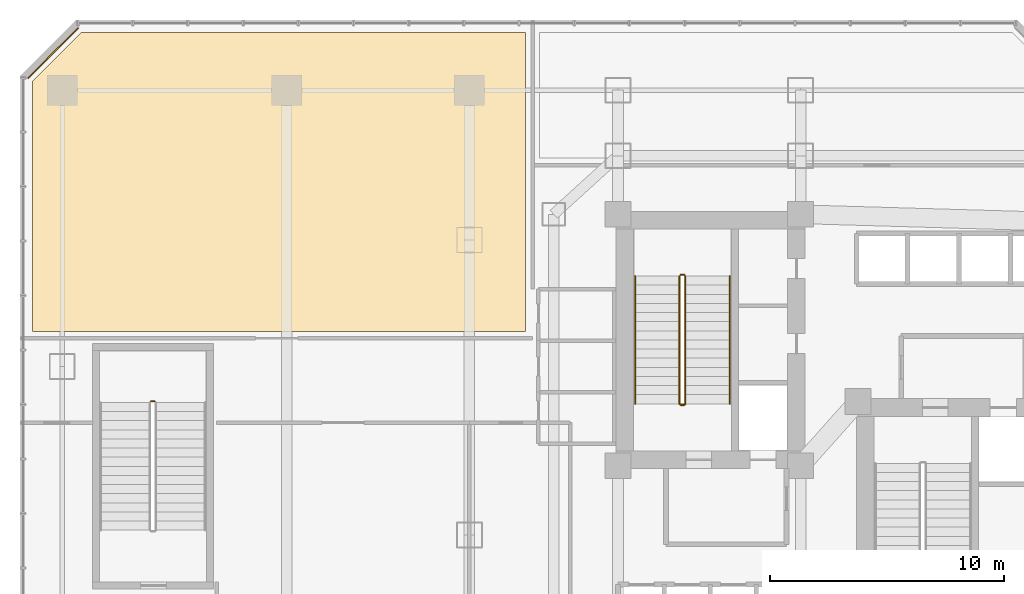
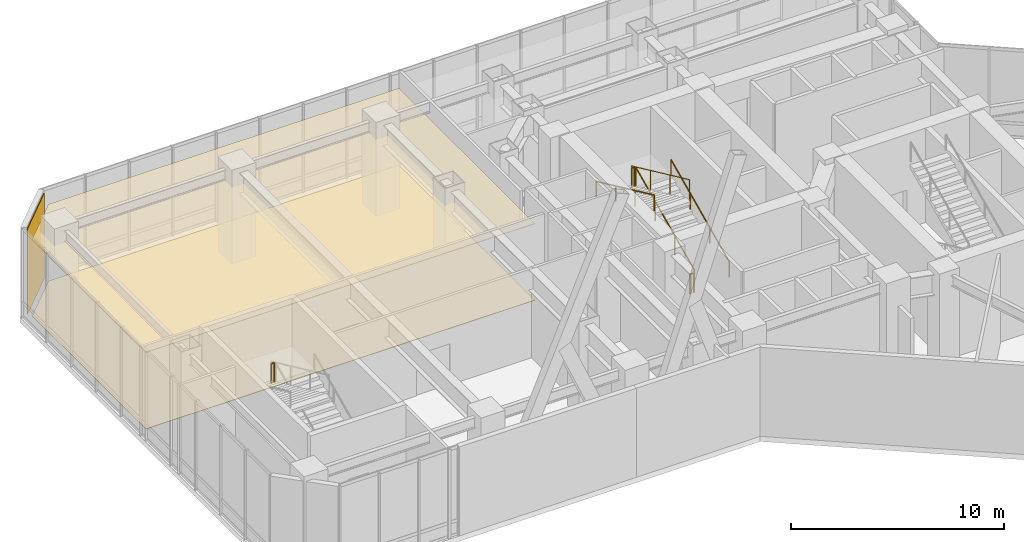
# One storey, part 34 of 35: 8 railings, 3 coverings.
"""IFC4 building model written with IfcOpenShell, lengths in metres."""

from ifc_helpers import new_model, si_unit, direction, frame, origin, origin_2d, place, context, subcontext, project, spatial, polyline, rectangle, circle, outline, extrude, material, layer, layer_set, type_object, element, save


model = new_model("IFC4")

# Units and contexts
model_context = context("Model", 3, precision=1e-05, world=origin(), true_north=direction((0.0, 1.0)))
body_context = subcontext(model_context, "Body", "Model", "MODEL_VIEW")
ifc_project = project(units=[si_unit("LENGTHUNIT", "METRE"), si_unit("AREAUNIT", "SQUARE_METRE"), si_unit("VOLUMEUNIT", "CUBIC_METRE"), si_unit("PLANEANGLEUNIT", "RADIAN"), si_unit("MASSUNIT", "GRAM", prefix="KILO")], contexts=[model_context])

# Site, building, storey
site_placement = place(None, origin())
site = spatial("IfcSite", under=ifc_project, at=site_placement, CompositionType="ELEMENT")
building_placement = place(site_placement, origin())
building = spatial("IfcBuilding", under=site, at=building_placement, Name="Hatsunagi Terrace Concourse", CompositionType="ELEMENT")
storey_placement = place(building_placement, frame((0.0, 0.0, 5.39990234375)))
storey = spatial("IfcBuildingStorey", under=building, at=storey_placement, Name="L02", CompositionType="ELEMENT", Elevation=5.39990234375)

# Covering
ifc_material_1 = material(Name="Granite stone paving", Category="masonry")
ifc_layer_1 = layer(ifc_material_1, 0.02490234375)
ifc_layer_set_1 = layer_set([ifc_layer_1], Name="GraniteStoneFlooring_25")
covering_type_1 = type_object("IfcCoveringType", Name="GraniteStoneFlooring_25", PredefinedType="FLOORING", material=ifc_layer_set_1)
covering_1_placement = place(storey_placement, origin())
element("IfcCovering", 1, at=covering_1_placement, inside=storey, type_object=covering_type_1, Name="Finished Flooring L02-1", PredefinedType="FLOORING", context=body_context, shape_type="SweptSolid", body=[
    extrude(outline(polyline([(2.6201171875, 51.070068359375), (0.530029296875, 48.97998046875), (0.530029296875, 38.300048828125), (21.60009765625, 38.300048828125), (21.60009765625, 51.070068359375), (2.6201171875, 51.070068359375)])), origin(), (0.0, 0.0, 1.0), 0.025146484375),
])

# Railings
ifc_material_2 = material(Name="Stainless steel", Category="steel")
ifc_layer_2 = layer(ifc_material_2, 0.044921875)
ifc_layer_set_2 = layer_set([ifc_layer_2], Name="StairPitchHandrail_Tower2000")
railing_type_1 = type_object("IfcRailingType", Name="StairPitchHandrail_Tower2000", PredefinedType="HANDRAIL", material=ifc_layer_set_2)
railing_1_placement = place(storey_placement, frame((30.330078125, 35.199951171875, 0.18017578125)))
element("IfcRailing", 2, at=railing_1_placement, inside=storey, type_object=railing_type_1, Name="L02 ST-A stair handrail 1", PredefinedType="HANDRAIL", context=body_context, shape_type="SweptSolid", body=[
    extrude(circle(Radius=0.02392578125, at=origin_2d()), frame((0.0, 0.0, 0.8759765625), z_axis=(0.0, 0.907957007956, 0.419063326602), x_axis=(-1.0, 0.0, 0.0)), (0.0, 0.0, 1.0), 6.013427734375),
    extrude(circle(Radius=0.02099609375, at=origin_2d()), origin(), (0.0, 0.0, 1.0), 0.851806640625),
    extrude(circle(Radius=0.02099609375, at=origin_2d()), frame((0.0, 1.820068359375, 0.840087890625)), (0.0, 0.0, 1.0), 0.851806640625),
    extrude(circle(Radius=0.02099609375, at=origin_2d()), frame((0.0, 3.639892578125, 1.679931640625)), (0.0, 0.0, 1.0), 0.851806640625),
    extrude(circle(Radius=0.02099609375, at=origin_2d()), frame((0.0, 5.4599609375, 2.52001953125)), (0.0, 0.0, 1.0), 0.851806640625),
])
railing_2_placement = place(storey_placement, frame((26.280029296875, 40.659912109375, 2.880126953125)))
element("IfcRailing", 3, at=railing_2_placement, inside=storey, type_object=railing_type_1, Name="L02 ST-A stair handrail 2", PredefinedType="HANDRAIL", context=body_context, shape_type="SweptSolid", body=[
    extrude(circle(Radius=0.02392578125, at=origin_2d()), frame((0.0, 0.0, 0.8759765625), z_axis=(0.0, -0.907957007956, 0.419063326602), x_axis=(1.0, 0.0, 0.0)), (0.0, 0.0, 1.0), 6.013427734375),
    extrude(circle(Radius=0.02099609375, at=origin_2d()), origin(), (0.0, 0.0, 1.0), 0.851806640625),
    extrude(circle(Radius=0.02099609375, at=origin_2d()), frame((0.0, -1.820068359375, 0.840087890625)), (0.0, 0.0, 1.0), 0.851806640625),
    extrude(circle(Radius=0.02099609375, at=origin_2d()), frame((0.0, -3.639892578125, 1.679931640625)), (0.0, 0.0, 1.0), 0.851806640625),
    extrude(circle(Radius=0.02099609375, at=origin_2d()), frame((0.0, -5.4599609375, 2.52001953125)), (0.0, 0.0, 1.0), 0.851806640625),
])
ifc_material_3 = material(Name="Stainless steel", Category="steel")
ifc_layer_3 = layer(ifc_material_3, 0.06494140625)
ifc_layer_set_3 = layer_set([ifc_layer_3], Name="StairWellGuard_Podium2200")
railing_type_2 = type_object("IfcRailingType", Name="StairWellGuard_Podium2200", PredefinedType="BALUSTRADE", material=ifc_layer_set_3)
railing_3_placement = place(storey_placement, frame((5.75, 35.31005859375, 2.7001953125)))
element("IfcRailing", 4, at=railing_3_placement, inside=storey, type_object=railing_type_2, Name="L02 ST-P1 stair guard 2", PredefinedType="BALUSTRADE", context=body_context, shape_type="SweptSolid", body=[
    extrude(circle(Radius=0.02392578125, at=origin_2d()), frame((0.0, 0.0, 1.09619140625), z_axis=(-1.0, 0.0, 0.0), x_axis=(0.0, -1.0, 0.0)), (0.0, 0.0, 1.0), 0.14990234375),
    extrude(circle(Radius=0.02099609375, at=origin_2d()), origin(), (0.0, 0.0, 1.0), 1.072021484375),
    extrude(circle(Radius=0.02099609375, at=origin_2d()), frame((-0.14990234375, 0.0, 0.0)), (0.0, 0.0, 1.0), 1.072021484375),
])
ifc_material_4 = material(Name="Stainless steel", Category="steel")
ifc_layer_4 = layer(ifc_material_4, 0.06005859375)
ifc_layer_set_4 = layer_set([ifc_layer_4], Name="StairWellGuard_Tower2000")
railing_type_3 = type_object("IfcRailingType", Name="StairWellGuard_Tower2000", PredefinedType="BALUSTRADE", material=ifc_layer_set_4)
railing_4_placement = place(storey_placement, frame((28.429931640625, 35.199951171875, 0.18017578125)))
element("IfcRailing", 5, at=railing_4_placement, inside=storey, type_object=railing_type_3, Name="L02 ST-A stair guard 1", PredefinedType="BALUSTRADE", context=body_context, shape_type="SweptSolid", body=[
    extrude(circle(Radius=0.02392578125, at=origin_2d()), frame((0.0, 0.0, 1.09619140625), z_axis=(0.0, 0.907957007956, 0.419063326602), x_axis=(-1.0, 0.0, 0.0)), (0.0, 0.0, 1.0), 6.013427734375),
    extrude(circle(Radius=0.02099609375, at=origin_2d()), origin(), (0.0, 0.0, 1.0), 1.072021484375),
    extrude(circle(Radius=0.02099609375, at=origin_2d()), frame((0.0, 1.820068359375, 0.840087890625)), (0.0, 0.0, 1.0), 1.072021484375),
    extrude(circle(Radius=0.02099609375, at=origin_2d()), frame((0.0, 3.639892578125, 1.679931640625)), (0.0, 0.0, 1.0), 1.072021484375),
    extrude(circle(Radius=0.02099609375, at=origin_2d()), frame((0.0, 5.4599609375, 2.52001953125)), (0.0, 0.0, 1.0), 1.072021484375),
])
railing_5_placement = place(storey_placement, frame((28.3798828125, 40.7099609375, 2.7001953125)))
element("IfcRailing", 6, at=railing_5_placement, inside=storey, type_object=railing_type_3, Name="L02 ST-A stair guard 2", PredefinedType="BALUSTRADE", context=body_context, shape_type="SweptSolid", body=[
    extrude(circle(Radius=0.02392578125, at=origin_2d()), frame((0.0, 0.0, 1.09619140625), z_axis=(-1.0, 0.0, 0.0), x_axis=(0.0, -1.0, 0.0)), (0.0, 0.0, 1.0), 0.14990234375),
    extrude(circle(Radius=0.02099609375, at=origin_2d()), origin(), (0.0, 0.0, 1.0), 1.072021484375),
    extrude(circle(Radius=0.02099609375, at=origin_2d()), frame((-0.14990234375, 0.0, 0.0)), (0.0, 0.0, 1.0), 1.072021484375),
])
railing_6_placement = place(storey_placement, frame((28.179931640625, 40.659912109375, 2.880126953125)))
element("IfcRailing", 7, at=railing_6_placement, inside=storey, type_object=railing_type_3, Name="L02 ST-A stair guard 3", PredefinedType="BALUSTRADE", context=body_context, shape_type="SweptSolid", body=[
    extrude(circle(Radius=0.02392578125, at=origin_2d()), frame((0.0, 0.0, 1.09619140625), z_axis=(0.0, -0.907957007956, 0.419063326602), x_axis=(1.0, 0.0, 0.0)), (0.0, 0.0, 1.0), 6.013427734375),
    extrude(circle(Radius=0.02099609375, at=origin_2d()), origin(), (0.0, 0.0, 1.0), 1.072021484375),
    extrude(circle(Radius=0.02099609375, at=origin_2d()), frame((0.0, -1.820068359375, 0.840087890625)), (0.0, 0.0, 1.0), 1.072021484375),
    extrude(circle(Radius=0.02099609375, at=origin_2d()), frame((0.0, -3.639892578125, 1.679931640625)), (0.0, 0.0, 1.0), 1.072021484375),
    extrude(circle(Radius=0.02099609375, at=origin_2d()), frame((0.0, -5.4599609375, 2.52001953125)), (0.0, 0.0, 1.0), 1.072021484375),
])
railing_7_placement = place(storey_placement, frame((28.3798828125, 35.14990234375, 0.0)))
element("IfcRailing", 8, at=railing_7_placement, inside=storey, type_object=railing_type_3, Name="L02 ST-A stair guard 4", PredefinedType="BALUSTRADE", context=body_context, shape_type="SweptSolid", body=[
    extrude(circle(Radius=0.02392578125, at=origin_2d()), frame((0.0, 0.0, 1.09619140625), z_axis=(-1.0, 0.0, 0.0), x_axis=(0.0, -1.0, 0.0)), (0.0, 0.0, 1.0), 0.14990234375),
    extrude(circle(Radius=0.02099609375, at=origin_2d()), origin(), (0.0, 0.0, 1.0), 1.072021484375),
    extrude(circle(Radius=0.02099609375, at=origin_2d()), frame((-0.14990234375, 0.0, 0.0)), (0.0, 0.0, 1.0), 1.072021484375),
])
ifc_material_5 = material(Name="Stainless Steel SUS316 Post-and-Rail Guard", Category="steel")
ifc_layer_5 = layer(ifc_material_5, 0.080078125)
ifc_layer_set_5 = layer_set([ifc_layer_5], Name="TerracePlantedGuardRail_1200")
railing_type_4 = type_object("IfcRailingType", Name="TerracePlantedGuardRail_1200", PredefinedType="GUARDRAIL", material=ifc_layer_set_5)
railing_8_placement = place(storey_placement, frame((28.179931640625, 35.179931640625, 0.0)))
element("IfcRailing", 9, at=railing_8_placement, inside=storey, type_object=railing_type_4, Name="Stair ST-A Well Closure Guard L02", PredefinedType="GUARDRAIL", context=body_context, shape_type="SweptSolid", body=[
    extrude(circle(Radius=0.02392578125, at=origin_2d()), frame((0.0, 0.0, 1.09619140625), z_axis=(1.0, 0.0, 0.0), x_axis=(0.0, 1.0, 0.0)), (0.0, 0.0, 1.0), 0.25),
    extrude(circle(Radius=0.02099609375, at=origin_2d()), origin(), (0.0, 0.0, 1.0), 1.072021484375),
    extrude(circle(Radius=0.02099609375, at=origin_2d()), frame((0.25, 0.0, 0.0)), (0.0, 0.0, 1.0), 1.072021484375),
])

# Coverings
ifc_material_6 = material(Name="Unglazed Warm Terracotta Rainscreen Tile", Category="masonry")
ifc_layer_6 = layer(ifc_material_6, 0.044921875)
ifc_layer_set_6 = layer_set([ifc_layer_6], Name="TerracottaRainscreenCladding_45")
covering_type_2 = type_object("IfcCoveringType", Name="TerracottaRainscreenCladding_45", PredefinedType="CLADDING", material=ifc_layer_set_6)
covering_2_placement = place(storey_placement, frame((1.4140625, 50.18603515625, 0.10009765625), z_axis=(0.0, 0.0, 1.0), x_axis=(0.707106781187, 0.707106781187, 0.0)))
element("IfcCovering", 10, at=covering_2_placement, inside=storey, type_object=covering_type_2, Name="Terracotta Rainscreen Cladding L02-11", PredefinedType="CLADDING", context=body_context, shape_type="SweptSolid", body=[
    extrude(rectangle(XDim=3.0380859375, YDim=0.044921875, at=origin_2d()), origin(), (0.0, 0.0, 1.0), 4.89990234375),
])
ifc_material_7 = material(Name="Hardwood timber", Category="wood")
ifc_layer_7 = layer(ifc_material_7, 0.034912109375)
ifc_layer_set_7 = layer_set([ifc_layer_7], Name="TimberBaffleCeiling_35")
covering_type_3 = type_object("IfcCoveringType", Name="TimberBaffleCeiling_35", PredefinedType="CEILING", material=ifc_layer_set_7)
covering_3_placement = place(storey_placement, frame((0.0, 0.0, 4.380126953125)))
element("IfcCovering", 11, at=covering_3_placement, inside=storey, type_object=covering_type_3, Name="Suspended Ceiling L02-1", PredefinedType="CEILING", context=body_context, shape_type="SweptSolid", body=[
    extrude(outline(polyline([(2.6201171875, 51.070068359375), (0.530029296875, 48.97998046875), (0.530029296875, 38.300048828125), (21.60009765625, 38.300048828125), (21.60009765625, 51.070068359375), (2.6201171875, 51.070068359375)])), origin(), (0.0, 0.0, 1.0), 0.034912109375),
])

save(model, "model.ifc")
